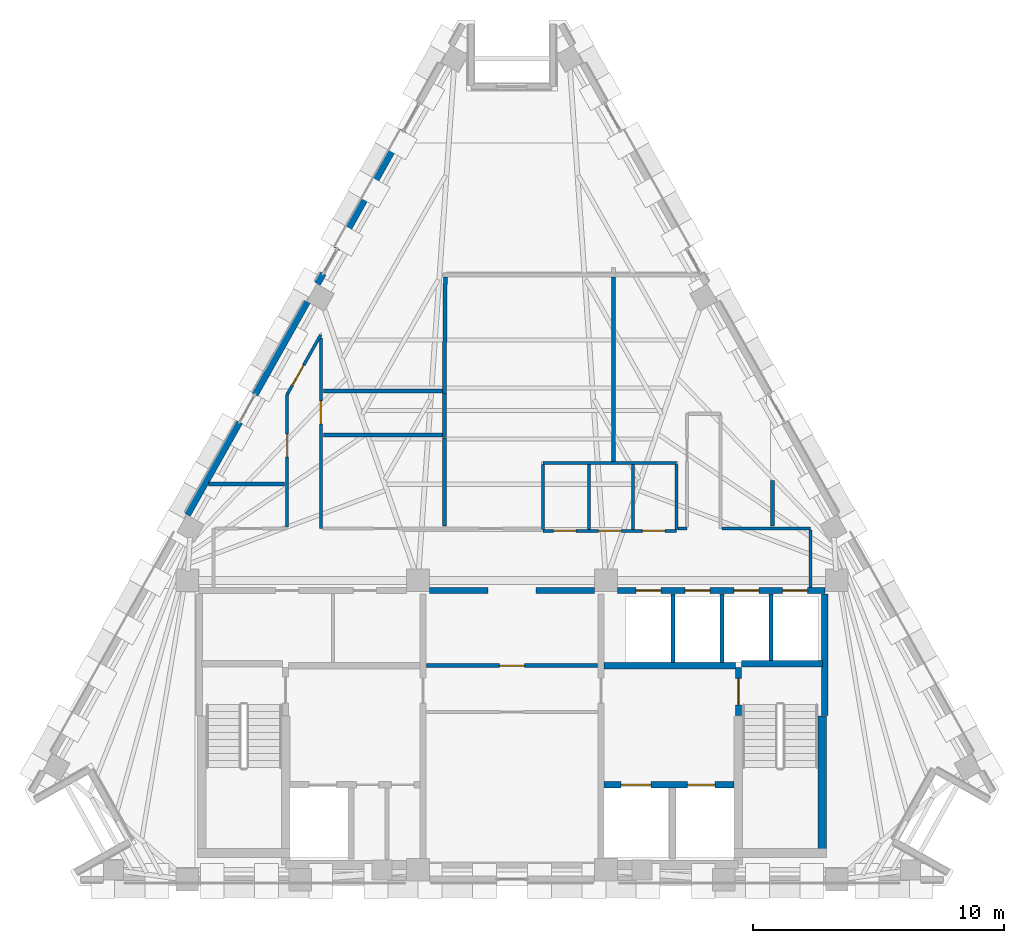
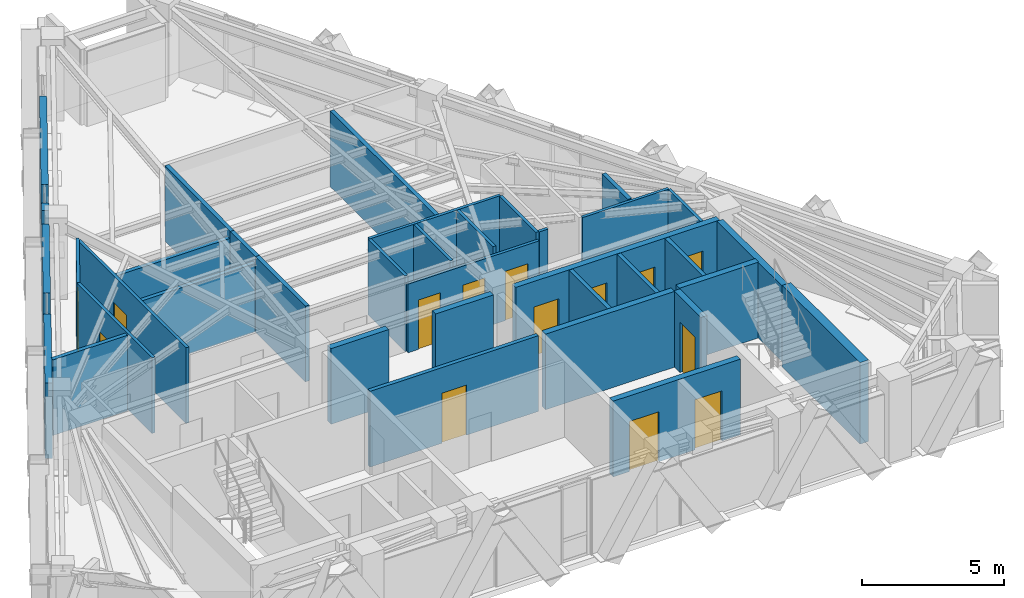
# One storey, part 6 of 9: 37 walls, 14 doors, 14 openings.
"""IFC4 building model written with IfcOpenShell, lengths in metres."""

from ifc_helpers import new_model, si_unit, direction, frame, frame_2d, origin, place, context, subcontext, project, spatial, rectangle, extrude, material, layer, layer_set, type_object, element, fill, save


model = new_model("IFC4")

# Units and contexts
model_context = context("Model", 3, precision=1e-05, world=origin(), true_north=direction((0.0, 1.0)))
body_context = subcontext(model_context, "Body", "Model", "MODEL_VIEW")
ifc_project = project(units=[si_unit("LENGTHUNIT", "METRE"), si_unit("AREAUNIT", "SQUARE_METRE"), si_unit("VOLUMEUNIT", "CUBIC_METRE"), si_unit("PLANEANGLEUNIT", "RADIAN"), si_unit("MASSUNIT", "GRAM", prefix="KILO")], contexts=[model_context])

# Site, building, storey
site_placement = place(None, origin())
site = spatial("IfcSite", under=ifc_project, at=site_placement, CompositionType="ELEMENT")
building_placement = place(site_placement, origin())
building = spatial("IfcBuilding", under=site, at=building_placement, Name="Quenlor Broadcast Tower", CompositionType="ELEMENT")
storey_placement = place(building_placement, frame((0.0, 0.0, 246.39990234375)))
storey = spatial("IfcBuildingStorey", under=building, at=storey_placement, Name="L68", CompositionType="ELEMENT", Elevation=246.39990234375)

# Wall
ifc_material_1 = material(Name="Concrete C50/60", Category="concrete")
ifc_layer_1 = layer(ifc_material_1, 0.35009765625)
ifc_layer_set_1 = layer_set([ifc_layer_1], Name="Core Concrete C50/60 Shear Wall 350")
wall_type_1 = type_object("IfcWallType", Name="Core Concrete C50/60 Shear Wall 350", PredefinedType="SHEAR", material=ifc_layer_set_1)
wall_1_placement = place(storey_placement, frame((12.375, -15.675048828125, 0.0), z_axis=(0.0, 0.0, 1.0), x_axis=(0.0, 1.0, 0.0)))
element("IfcWall", 1, at=wall_1_placement, inside=storey, type_object=wall_type_1, Name="L68 Core Shear Wall WF-E", PredefinedType="SHEAR", context=body_context, shape_type="SweptSolid", body=[
    extrude(rectangle(XDim=5.47509765625, YDim=0.35009765625, at=frame_2d((2.737548828125, 0.0))), origin(), (0.0, 0.0, 1.0), 3.5),
])

# Wall, opening, door
ifc_material_2 = material(Name="Concrete C40/50", Category="concrete")
ifc_layer_2 = layer(ifc_material_2, 0.25)
ifc_layer_set_2 = layer_set([ifc_layer_2], Name="Fire Rated Concrete C40/50 Core Wall 250")
wall_type_2 = type_object("IfcWallType", Name="Fire Rated Concrete C40/50 Core Wall 250", PredefinedType="PARTITIONING", material=ifc_layer_set_2)
wall_2_placement = place(storey_placement, frame((9.0400390625, -10.179931640625, 0.0), z_axis=(0.0, 0.0, 1.0), x_axis=(0.0, 1.0, 0.0)))
wall_2 = element("IfcWall", 2, at=wall_2_placement, inside=storey, type_object=wall_type_2, Name="L68 Interior Wall CW-ST2-DR", PredefinedType="PARTITIONING", context=body_context, shape_type="SweptSolid", body=[
    extrude(rectangle(XDim=1.89990234375, YDim=0.25, at=frame_2d((0.949951171875, 0.0))), origin(), (0.0, 0.0, 1.0), 3.25),
])
opening_1_placement = place(wall_2_placement, frame((0.419921875, 0.0, 0.0)))
opening_1 = element("IfcOpeningElement", 3, at=opening_1_placement, cuts=wall_2, Name="Opening FD-1", PredefinedType="OPENING", context=body_context, shape_type="SweptSolid", body=[
    extrude(rectangle(XDim=1.050048828125, YDim=2.14990234375, at=frame_2d((0.52490234375, 1.074951171875))), frame((0.0, 0.135009765625, 0.0), z_axis=(0.0, -1.0, 0.0), x_axis=(1.0, 0.0, 0.0)), (0.0, 0.0, 1.0), 0.27001953125),
])
ifc_material_3 = material(Name="Fire Rated Steel Door Leaf", Category="steel")
door_type_1 = type_object("IfcDoorType", Name="Fire Isolated Stair Door 1050x2150", OperationType="NOTDEFINED", PredefinedType="DOOR", material=ifc_material_3)
door_1_placement = place(opening_1_placement, origin())
door_1 = element("IfcDoor", 4, at=door_1_placement, inside=storey, type_object=door_type_1, Name="L68 Door DR-ST2", OperationType="SINGLE_SWING_RIGHT", OverallHeight=2.14990234375, OverallWidth=1.050048828125, PredefinedType="DOOR", context=body_context, shape_type="SweptSolid", body=[
    extrude(rectangle(XDim=1.050048828125, YDim=2.14990234375, at=frame_2d((0.52490234375, 1.074951171875))), frame((0.0, 0.02490234375, 0.0), z_axis=(0.0, -1.0, 0.0), x_axis=(1.0, 0.0, 0.0)), (0.0, 0.0, 1.0), 0.050048828125),
])
fill(opening_1, door_1)

# Walls
wall_3_placement = place(storey_placement, frame((9.159912109375, -8.1201171875, 0.0), z_axis=(0.0, 0.0, 1.0), x_axis=(1.0, 0.0, 0.0)))
element("IfcWall", 5, at=wall_3_placement, inside=storey, type_object=wall_type_2, Name="L68 Interior Wall CW-ST2-N", PredefinedType="PARTITIONING", context=body_context, shape_type="SweptSolid", body=[
    extrude(rectangle(XDim=3.219970703125, YDim=0.25, at=frame_2d((1.60986328125, 0.0))), origin(), (0.0, 0.0, 1.0), 3.25),
])
wall_4_placement = place(storey_placement, frame((12.47998046875, -10.179931640625, 0.0), z_axis=(0.0, 0.0, 1.0), x_axis=(0.0, 1.0, 0.0)))
element("IfcWall", 6, at=wall_4_placement, inside=storey, type_object=wall_type_2, Name="L68 Interior Wall CW-ST2-E2", PredefinedType="PARTITIONING", context=body_context, shape_type="SweptSolid", body=[
    extrude(rectangle(XDim=4.83984375, YDim=0.25, at=frame_2d((2.419921875, 0.0))), origin(), (0.0, 0.0, 1.0), 3.25),
])

# Wall, openings, doors
wall_5_placement = place(storey_placement, frame((3.679931640625, -12.949951171875, 0.0), z_axis=(0.0, 0.0, 1.0), x_axis=(1.0, 0.0, 0.0)))
wall_5 = element("IfcWall", 7, at=wall_5_placement, inside=storey, type_object=wall_type_2, Name="L68 Interior Wall CW-FFE-S", PredefinedType="PARTITIONING", context=body_context, shape_type="SweptSolid", body=[
    extrude(rectangle(XDim=5.16796875, YDim=0.25, at=frame_2d((2.583984375, 0.0))), origin(), (0.0, 0.0, 1.0), 3.25),
])
opening_2_placement = place(wall_5_placement, frame((3.320068359375, 0.0, 0.0)))
opening_2 = element("IfcOpeningElement", 8, at=opening_2_placement, cuts=wall_5, Name="Opening LD-FFL-2", PredefinedType="OPENING", context=body_context, shape_type="SweptSolid", body=[
    extrude(rectangle(XDim=1.10009765625, YDim=2.14990234375, at=frame_2d((0.550048828125, 1.074951171875))), frame((0.0, 0.135009765625, 0.0), z_axis=(0.0, -1.0, 0.0), x_axis=(1.0, 0.0, 0.0)), (0.0, 0.0, 1.0), 0.27001953125),
])
opening_3_placement = place(wall_5_placement, frame((0.669921875, 0.0, 0.0)))
opening_3 = element("IfcOpeningElement", 9, at=opening_3_placement, cuts=wall_5, Name="Opening LD-SVL-1", PredefinedType="OPENING", context=body_context, shape_type="SweptSolid", body=[
    extrude(rectangle(XDim=1.199951171875, YDim=2.14990234375, at=frame_2d((0.60009765625, 1.074951171875))), frame((0.0, 0.135009765625, 0.0), z_axis=(0.0, -1.0, 0.0), x_axis=(1.0, 0.0, 0.0)), (0.0, 0.0, 1.0), 0.27001953125),
])
ifc_material_4 = material(Name="Brushed Stainless Steel", Category="steel")
door_type_2 = type_object("IfcDoorType", Name="Emergency Lift Sliding Landing Door 1100x2150", OperationType="NOTDEFINED", PredefinedType="DOOR", material=ifc_material_4)
door_2_placement = place(opening_2_placement, origin())
door_2 = element("IfcDoor", 10, at=door_2_placement, inside=storey, type_object=door_type_2, Name="L68 Door LD-FFL-2", OperationType="SLIDING_TO_RIGHT", OverallHeight=2.14990234375, OverallWidth=1.10009765625, PredefinedType="DOOR", context=body_context, shape_type="SweptSolid", body=[
    extrude(rectangle(XDim=1.10009765625, YDim=2.14990234375, at=frame_2d((0.550048828125, 1.074951171875))), frame((0.0, 0.02490234375, 0.0), z_axis=(0.0, -1.0, 0.0), x_axis=(1.0, 0.0, 0.0)), (0.0, 0.0, 1.0), 0.050048828125),
])
fill(opening_2, door_2)
ifc_material_5 = material(Name="Brushed Stainless Steel", Category="steel")
door_type_3 = type_object("IfcDoorType", Name="Goods Lift Sliding Landing Door 1200x2150", OperationType="NOTDEFINED", PredefinedType="DOOR", material=ifc_material_5)
door_3_placement = place(opening_3_placement, origin())
door_3 = element("IfcDoor", 11, at=door_3_placement, inside=storey, type_object=door_type_3, Name="L68 Door LD-SVL-1", OperationType="SLIDING_TO_LEFT", OverallHeight=2.14990234375, OverallWidth=1.199951171875, PredefinedType="DOOR", context=body_context, shape_type="SweptSolid", body=[
    extrude(rectangle(XDim=1.199951171875, YDim=2.14990234375, at=frame_2d((0.60009765625, 1.074951171875))), frame((0.0, 0.02490234375, 0.0), z_axis=(0.0, -1.0, 0.0), x_axis=(1.0, 0.0, 0.0)), (0.0, 0.0, 1.0), 0.050048828125),
])
fill(opening_3, door_3)

# Wall
wall_6_placement = place(storey_placement, frame((3.679931640625, -8.199951171875, 0.0), z_axis=(0.0, 0.0, 1.0), x_axis=(1.0, 0.0, 0.0)))
element("IfcWall", 12, at=wall_6_placement, inside=storey, type_object=wall_type_2, Name="L68 Interior Wall CW-FFE-N", PredefinedType="PARTITIONING", context=body_context, shape_type="SweptSolid", body=[
    extrude(rectangle(XDim=5.239990234375, YDim=0.25, at=frame_2d((2.6201171875, 0.0))), origin(), (0.0, 0.0, 1.0), 3.25),
])

# Wall, openings, doors
wall_7_placement = place(storey_placement, frame((4.201904296875, -5.199951171875, 0.0), z_axis=(0.0, 0.0, 1.0), x_axis=(1.0, 0.0, 0.0)))
wall_7 = element("IfcWall", 13, at=wall_7_placement, inside=storey, type_object=wall_type_2, Name="L68 Interior Wall CW-N-E", PredefinedType="PARTITIONING", context=body_context, shape_type="SweptSolid", body=[
    extrude(rectangle(XDim=8.278076171875, YDim=0.25, at=frame_2d((4.13916015625, 0.0))), origin(), (0.0, 0.0, 1.0), 3.25),
])
opening_4_placement = place(wall_7_placement, frame((0.748046875, 0.0, 0.0)))
opening_4 = element("IfcOpeningElement", 14, at=opening_4_placement, cuts=wall_7, Name="Opening LD-PL-H1", PredefinedType="OPENING", context=body_context, shape_type="SweptSolid", body=[
    extrude(rectangle(XDim=1.0, YDim=2.14990234375, at=frame_2d((0.5, 1.074951171875))), frame((0.0, 0.135009765625, 0.0), z_axis=(0.0, -1.0, 0.0), x_axis=(1.0, 0.0, 0.0)), (0.0, 0.0, 1.0), 0.27001953125),
])
opening_5_placement = place(wall_7_placement, frame((2.697998046875, 0.0, 0.0)))
opening_5 = element("IfcOpeningElement", 15, at=opening_5_placement, cuts=wall_7, Name="Opening LD-PL-H2", PredefinedType="OPENING", context=body_context, shape_type="SweptSolid", body=[
    extrude(rectangle(XDim=1.0, YDim=2.14990234375, at=frame_2d((0.5, 1.074951171875))), frame((0.0, 0.135009765625, 0.0), z_axis=(0.0, -1.0, 0.0), x_axis=(1.0, 0.0, 0.0)), (0.0, 0.0, 1.0), 0.27001953125),
])
opening_6_placement = place(wall_7_placement, frame((4.64794921875, 0.0, 0.0)))
opening_6 = element("IfcOpeningElement", 16, at=opening_6_placement, cuts=wall_7, Name="Opening LD-PL-H3", PredefinedType="OPENING", context=body_context, shape_type="SweptSolid", body=[
    extrude(rectangle(XDim=1.0, YDim=2.14990234375, at=frame_2d((0.5, 1.074951171875))), frame((0.0, 0.135009765625, 0.0), z_axis=(0.0, -1.0, 0.0), x_axis=(1.0, 0.0, 0.0)), (0.0, 0.0, 1.0), 0.27001953125),
])
opening_7_placement = place(wall_7_placement, frame((6.597900390625, 0.0, 0.0)))
opening_7 = element("IfcOpeningElement", 17, at=opening_7_placement, cuts=wall_7, Name="Opening LD-PL-H4", PredefinedType="OPENING", context=body_context, shape_type="SweptSolid", body=[
    extrude(rectangle(XDim=1.0, YDim=2.14990234375, at=frame_2d((0.5, 1.074951171875))), frame((0.0, 0.135009765625, 0.0), z_axis=(0.0, -1.0, 0.0), x_axis=(1.0, 0.0, 0.0)), (0.0, 0.0, 1.0), 0.27001953125),
])
ifc_material_6 = material(Name="Brushed Stainless Steel", Category="steel")
door_type_4 = type_object("IfcDoorType", Name="Passenger Lift Sliding Landing Door 1000x2150", OperationType="NOTDEFINED", PredefinedType="DOOR", material=ifc_material_6)
door_4_placement = place(opening_4_placement, origin())
door_4 = element("IfcDoor", 18, at=door_4_placement, inside=storey, type_object=door_type_4, Name="L68 Door LD-PL-H1", OperationType="SLIDING_TO_RIGHT", OverallHeight=2.14990234375, OverallWidth=1.0, PredefinedType="DOOR", context=body_context, shape_type="SweptSolid", body=[
    extrude(rectangle(XDim=1.0, YDim=2.14990234375, at=frame_2d((0.5, 1.074951171875))), frame((0.0, 0.02490234375, 0.0), z_axis=(0.0, -1.0, 0.0), x_axis=(1.0, 0.0, 0.0)), (0.0, 0.0, 1.0), 0.050048828125),
])
fill(opening_4, door_4)
door_5_placement = place(opening_5_placement, origin())
door_5 = element("IfcDoor", 19, at=door_5_placement, inside=storey, type_object=door_type_4, Name="L68 Door LD-PL-H2", OperationType="SLIDING_TO_RIGHT", OverallHeight=2.14990234375, OverallWidth=1.0, PredefinedType="DOOR", context=body_context, shape_type="SweptSolid", body=[
    extrude(rectangle(XDim=1.0, YDim=2.14990234375, at=frame_2d((0.5, 1.074951171875))), frame((0.0, 0.02490234375, 0.0), z_axis=(0.0, -1.0, 0.0), x_axis=(1.0, 0.0, 0.0)), (0.0, 0.0, 1.0), 0.050048828125),
])
fill(opening_5, door_5)
door_6_placement = place(opening_6_placement, origin())
door_6 = element("IfcDoor", 20, at=door_6_placement, inside=storey, type_object=door_type_4, Name="L68 Door LD-PL-H3", OperationType="SLIDING_TO_RIGHT", OverallHeight=2.14990234375, OverallWidth=1.0, PredefinedType="DOOR", context=body_context, shape_type="SweptSolid", body=[
    extrude(rectangle(XDim=1.0, YDim=2.14990234375, at=frame_2d((0.5, 1.074951171875))), frame((0.0, 0.02490234375, 0.0), z_axis=(0.0, -1.0, 0.0), x_axis=(1.0, 0.0, 0.0)), (0.0, 0.0, 1.0), 0.050048828125),
])
fill(opening_6, door_6)
door_7_placement = place(opening_7_placement, origin())
door_7 = element("IfcDoor", 21, at=door_7_placement, inside=storey, type_object=door_type_4, Name="L68 Door LD-PL-H4", OperationType="SLIDING_TO_RIGHT", OverallHeight=2.14990234375, OverallWidth=1.0, PredefinedType="DOOR", context=body_context, shape_type="SweptSolid", body=[
    extrude(rectangle(XDim=1.0, YDim=2.14990234375, at=frame_2d((0.5, 1.074951171875))), frame((0.0, 0.02490234375, 0.0), z_axis=(0.0, -1.0, 0.0), x_axis=(1.0, 0.0, 0.0)), (0.0, 0.0, 1.0), 0.050048828125),
])
fill(opening_7, door_7)

# Walls
for number, where, z_axis, x_axis, name in (
    (22, (-3.298095703125, -5.199951171875, 0.0), (0.0, 0.0, 1.0), (1.0, 0.0, 0.0), "L68 Interior Wall CW-N-M1"),
    (23, (0.949951171875, -5.199951171875, 0.0), (0.0, 0.0, 1.0), (1.0, 0.0, 0.0), "L68 Interior Wall CW-N-M2"),
):
    element("IfcWall", number, at=place(storey_placement, frame(where, z_axis=z_axis, x_axis=x_axis)), inside=storey, type_object=wall_type_2, Name=name, PredefinedType="PARTITIONING", context=body_context, shape_type="SweptSolid", body=[
        extrude(rectangle(XDim=2.34814453125, YDim=0.25, at=frame_2d((1.174072265625, 0.0))), origin(), (0.0, 0.0, 1.0), 3.25),
    ])
ifc_material_7 = material(Name="Gypsum Fireboard Partition", Category="other")
ifc_layer_3 = layer(ifc_material_7, 0.159912109375)
ifc_layer_set_3 = layer_set([ifc_layer_3], Name="Fire Rated Shaft and Corridor Partition 160")
wall_type_3 = type_object("IfcWallType", Name="Fire Rated Shaft and Corridor Partition 160", PredefinedType="PARTITIONING", material=ifc_layer_set_3)
for number, where, z_axis, x_axis, name in (
    (24, (6.425048828125, -8.072998046875, 0.0), (0.0, 0.0, 1.0), (0.0, 1.0, 0.0), "L68 Interior Wall CW-PLH-D1"),
    (25, (8.375, -8.072998046875, 0.0), (0.0, 0.0, 1.0), (0.0, 1.0, 0.0), "L68 Interior Wall CW-PLH-D2"),
):
    element("IfcWall", number, at=place(storey_placement, frame(where, z_axis=z_axis, x_axis=x_axis)), inside=storey, type_object=wall_type_3, Name=name, PredefinedType="PARTITIONING", context=body_context, shape_type="SweptSolid", body=[
        extrude(rectangle(XDim=2.73291015625, YDim=0.159912109375, at=frame_2d((1.366455078125, 0.0))), origin(), (0.0, 0.0, 1.0), 3.25),
    ])
wall_8_placement = place(storey_placement, frame((10.324951171875, -7.992919921875, 0.0), z_axis=(0.0, 0.0, 1.0), x_axis=(0.0, 1.0, 0.0)))
element("IfcWall", 26, at=wall_8_placement, inside=storey, type_object=wall_type_3, Name="L68 Interior Wall CW-PLH-D3", PredefinedType="PARTITIONING", context=body_context, shape_type="SweptSolid", body=[
    extrude(rectangle(XDim=2.65283203125, YDim=0.159912109375, at=frame_2d((1.326416015625, 0.0))), origin(), (0.0, 0.0, 1.0), 3.25),
])

# Wall, opening, door
wall_9_placement = place(storey_placement, frame((-3.419921875, -8.199951171875, 0.0), z_axis=(0.0, 0.0, 1.0), x_axis=(1.0, 0.0, 0.0)))
wall_9 = element("IfcWall", 27, at=wall_9_placement, inside=storey, type_object=wall_type_3, Name="L68 Interior Wall CW-M-BACK", PredefinedType="PARTITIONING", context=body_context, shape_type="SweptSolid", body=[
    extrude(rectangle(XDim=6.83984375, YDim=0.159912109375, at=frame_2d((3.419921875, 0.0))), origin(), (0.0, 0.0, 1.0), 3.25),
])
opening_8_placement = place(wall_9_placement, frame((2.919921875, 0.0, 0.0)))
opening_8 = element("IfcOpeningElement", 28, at=opening_8_placement, cuts=wall_9, Name="Opening FD-2", PredefinedType="OPENING", context=body_context, shape_type="SweptSolid", body=[
    extrude(rectangle(XDim=1.0, YDim=2.14990234375, at=frame_2d((0.5, 1.074951171875))), frame((0.0, 0.08984375, 0.0), z_axis=(0.0, -1.0, 0.0), x_axis=(1.0, 0.0, 0.0)), (0.0, 0.0, 1.0), 0.179931640625),
])
ifc_material_8 = material(Name="Fire Rated Glazed Steel Door", Category="steel")
door_type_5 = type_object("IfcDoorType", Name="Firefighting Lobby Smoke Door 1000x2150", OperationType="NOTDEFINED", PredefinedType="DOOR", material=ifc_material_8)
door_8_placement = place(opening_8_placement, origin())
door_8 = element("IfcDoor", 29, at=door_8_placement, inside=storey, type_object=door_type_5, Name="L68 Door DR-CCRP", OperationType="SINGLE_SWING_LEFT", OverallHeight=2.14990234375, OverallWidth=1.0, PredefinedType="DOOR", context=body_context, shape_type="SweptSolid", body=[
    extrude(rectangle(XDim=1.0, YDim=2.14990234375, at=frame_2d((0.5, 1.074951171875))), frame((0.0, 0.02490234375, 0.0), z_axis=(0.0, -1.0, 0.0), x_axis=(1.0, 0.0, 0.0)), (0.0, 0.0, 1.0), 0.050048828125),
])
fill(opening_8, door_8)

# Walls
wall_10_placement = place(storey_placement, frame((-2.66064453125, 7.3115234375, 0.0), z_axis=(0.0, 0.0, 1.0), x_axis=(-0.008673840445, -0.999962381538, 0.0)))
element("IfcWall", 30, at=wall_10_placement, inside=storey, type_object=wall_type_3, Name="L68 Interior Wall PW-DV-02", PredefinedType="PARTITIONING", context=body_context, shape_type="SweptSolid", body=[
    extrude(rectangle(XDim=4.644287109375, YDim=0.159912109375, at=frame_2d((2.322265625, 0.0))), origin(), (0.0, 0.0, 1.0), 3.25),
])
wall_11_placement = place(storey_placement, frame((-2.781982421875, 2.767333984375, 0.0), z_axis=(0.0, 0.0, 1.0), x_axis=(-1.0, 0.0, 0.0)))
element("IfcWall", 31, at=wall_11_placement, inside=storey, type_object=wall_type_3, Name="L68 Interior Wall PW-DV-04", PredefinedType="PARTITIONING", context=body_context, shape_type="SweptSolid", body=[
    extrude(rectangle(XDim=4.738037109375, YDim=0.159912109375, at=frame_2d((2.369140625, 0.0))), origin(), (0.0, 0.0, 1.0), 2.94287109375),
])
wall_12_placement = place(storey_placement, frame((4.0400390625, 7.3115234375, 0.0), z_axis=(0.0, 0.0, 1.0), x_axis=(0.0, -1.0, 0.0)))
element("IfcWall", 32, at=wall_12_placement, inside=storey, type_object=wall_type_3, Name="L68 Interior Wall PW-DV-05S2", PredefinedType="PARTITIONING", context=body_context, shape_type="SweptSolid", body=[
    extrude(rectangle(XDim=7.37158203125, YDim=0.159912109375, at=frame_2d((3.685791015625, 0.0))), origin(), (0.0, 0.0, 1.0), 3.25),
])
wall_13_placement = place(storey_placement, frame((-2.699951171875, 0.894775390625, 0.0), z_axis=(0.0, 0.0, 1.0), x_axis=(0.0, 1.0, 0.0)))
element("IfcWall", 33, at=wall_13_placement, inside=storey, type_object=wall_type_3, Name="L68 Interior Wall PW-DV-06", PredefinedType="PARTITIONING", context=body_context, shape_type="SweptSolid", body=[
    extrude(rectangle(XDim=1.7705078125, YDim=0.159912109375, at=frame_2d((0.88525390625, 0.0))), origin(), (0.0, 0.0, 1.0), 3.25),
])
wall_14_placement = place(storey_placement, frame((-2.699951171875, -2.6201171875, 0.0), z_axis=(0.0, 0.0, 1.0), x_axis=(0.0, 1.0, 0.0)))
element("IfcWall", 34, at=wall_14_placement, inside=storey, type_object=wall_type_3, Name="L68 Interior Wall PW-DV-07", PredefinedType="PARTITIONING", context=body_context, shape_type="SweptSolid", body=[
    extrude(rectangle(XDim=3.5126953125, YDim=0.159912109375, at=frame_2d((1.75634765625, 0.0))), origin(), (0.0, 0.0, 1.0), 3.25),
])
wall_15_placement = place(storey_placement, frame((10.389892578125, -0.8134765625, 0.0), z_axis=(0.0, 0.0, 1.0), x_axis=(0.0, -1.0, 0.0)))
element("IfcWall", 35, at=wall_15_placement, inside=storey, type_object=wall_type_3, Name="L68 Interior Wall PW-DV-08", PredefinedType="PARTITIONING", context=body_context, shape_type="SweptSolid", body=[
    extrude(rectangle(XDim=1.806640625, YDim=0.159912109375, at=frame_2d((0.9033203125, 0.0))), origin(), (0.0, 0.0, 1.0), 3.25),
])
wall_16_placement = place(storey_placement, frame((-2.781982421875, 0.99462890625, 0.0), z_axis=(0.0, 0.0, 1.0), x_axis=(-1.0, 0.0, 0.0)))
element("IfcWall", 36, at=wall_16_placement, inside=storey, type_object=wall_type_3, Name="L68 Interior Wall PW-DV-09", PredefinedType="PARTITIONING", context=body_context, shape_type="SweptSolid", body=[
    extrude(rectangle(XDim=4.738037109375, YDim=0.159912109375, at=frame_2d((2.369140625, 0.0))), origin(), (0.0, 0.0, 1.0), 2.94287109375),
])
wall_17_placement = place(storey_placement, frame((-9.080078125, -0.953369140625, 0.0), z_axis=(0.0, 0.0, 1.0), x_axis=(-1.0, 0.0, 0.0)))
element("IfcWall", 37, at=wall_17_placement, inside=storey, type_object=wall_type_3, Name="L68 Interior Wall PW-DV-10", PredefinedType="PARTITIONING", context=body_context, shape_type="SweptSolid", body=[
    extrude(rectangle(XDim=3.026611328125, YDim=0.159912109375, at=frame_2d((1.51318359375, 0.0))), origin(), (0.0, 0.0, 1.0), 3.25),
])

# Wall, openings, doors
ifc_material_9 = material(Name="Gypsum Plasterboard Partition", Category="other")
ifc_layer_4 = layer(ifc_material_9, 0.1201171875)
ifc_layer_set_4 = layer_set([ifc_layer_4], Name="Standard Office Partition 120")
wall_type_4 = type_object("IfcWallType", Name="Standard Office Partition 120", PredefinedType="PARTITIONING", material=ifc_layer_set_4)
wall_18_placement = place(storey_placement, frame((1.239990234375, -2.820068359375, 0.0), z_axis=(0.0, 0.0, 1.0), x_axis=(1.0, 0.0, 0.0)))
wall_18 = element("IfcWall", 38, at=wall_18_placement, inside=storey, type_object=wall_type_4, Name="L68 Interior Wall PW-WC-S", PredefinedType="PARTITIONING", context=body_context, shape_type="SweptSolid", body=[
    extrude(rectangle(XDim=5.320068359375, YDim=0.1201171875, at=frame_2d((2.66015625, 0.0))), origin(), (0.0, 0.0, 1.0), 2.94287109375),
])
opening_9_placement = place(wall_18_placement, frame((0.419921875, 0.0, 0.0)))
opening_9 = element("IfcOpeningElement", 39, at=opening_9_placement, cuts=wall_18, Name="Opening ID-3", PredefinedType="OPENING", context=body_context, shape_type="SweptSolid", body=[
    extrude(rectangle(XDim=0.89990234375, YDim=2.1201171875, at=frame_2d((0.449951171875, 1.06005859375))), frame((0.0, 0.070068359375, 0.0), z_axis=(0.0, -1.0, 0.0), x_axis=(1.0, 0.0, 0.0)), (0.0, 0.0, 1.0), 0.14013671875),
])
opening_10_placement = place(wall_18_placement, frame((2.219970703125, 0.0, 0.0)))
opening_10 = element("IfcOpeningElement", 40, at=opening_10_placement, cuts=wall_18, Name="Opening ID-3", PredefinedType="OPENING", context=body_context, shape_type="SweptSolid", body=[
    extrude(rectangle(XDim=0.89990234375, YDim=2.1201171875, at=frame_2d((0.449951171875, 1.06005859375))), frame((0.0, 0.070068359375, 0.0), z_axis=(0.0, -1.0, 0.0), x_axis=(1.0, 0.0, 0.0)), (0.0, 0.0, 1.0), 0.14013671875),
])
opening_11_placement = place(wall_18_placement, frame((3.9599609375, 0.0, 0.0)))
opening_11 = element("IfcOpeningElement", 41, at=opening_11_placement, cuts=wall_18, Name="Opening ID-3", PredefinedType="OPENING", context=body_context, shape_type="SweptSolid", body=[
    extrude(rectangle(XDim=0.89990234375, YDim=2.1201171875, at=frame_2d((0.449951171875, 1.06005859375))), frame((0.0, 0.070068359375, 0.0), z_axis=(0.0, -1.0, 0.0), x_axis=(1.0, 0.0, 0.0)), (0.0, 0.0, 1.0), 0.14013671875),
])
ifc_material_10 = material(Name="Moisture Resistant Timber Oak", Category="wood")
door_type_6 = type_object("IfcDoorType", Name="Washroom Privacy Door 900x2120", OperationType="NOTDEFINED", PredefinedType="DOOR", material=ifc_material_10)
door_9_placement = place(opening_9_placement, origin())
door_9 = element("IfcDoor", 42, at=door_9_placement, inside=storey, type_object=door_type_6, Name="L68 Door DR-AWC", OperationType="SINGLE_SWING_LEFT", OverallHeight=2.1201171875, OverallWidth=0.89990234375, PredefinedType="DOOR", context=body_context, shape_type="SweptSolid", body=[
    extrude(rectangle(XDim=0.89990234375, YDim=2.1201171875, at=frame_2d((0.449951171875, 1.06005859375))), frame((0.0, 0.02490234375, 0.0), z_axis=(0.0, -1.0, 0.0), x_axis=(1.0, 0.0, 0.0)), (0.0, 0.0, 1.0), 0.050048828125),
])
fill(opening_9, door_9)
door_10_placement = place(opening_10_placement, origin())
door_10 = element("IfcDoor", 43, at=door_10_placement, inside=storey, type_object=door_type_6, Name="L68 Door DR-MWC", OperationType="SINGLE_SWING_LEFT", OverallHeight=2.1201171875, OverallWidth=0.89990234375, PredefinedType="DOOR", context=body_context, shape_type="SweptSolid", body=[
    extrude(rectangle(XDim=0.89990234375, YDim=2.1201171875, at=frame_2d((0.449951171875, 1.06005859375))), frame((0.0, 0.02490234375, 0.0), z_axis=(0.0, -1.0, 0.0), x_axis=(1.0, 0.0, 0.0)), (0.0, 0.0, 1.0), 0.050048828125),
])
fill(opening_10, door_10)
door_11_placement = place(opening_11_placement, origin())
door_11 = element("IfcDoor", 44, at=door_11_placement, inside=storey, type_object=door_type_6, Name="L68 Door DR-FWC", OperationType="SINGLE_SWING_RIGHT", OverallHeight=2.1201171875, OverallWidth=0.89990234375, PredefinedType="DOOR", context=body_context, shape_type="SweptSolid", body=[
    extrude(rectangle(XDim=0.89990234375, YDim=2.1201171875, at=frame_2d((0.449951171875, 1.06005859375))), frame((0.0, 0.02490234375, 0.0), z_axis=(0.0, -1.0, 0.0), x_axis=(1.0, 0.0, 0.0)), (0.0, 0.0, 1.0), 0.050048828125),
])
fill(opening_11, door_11)

# Walls
wall_19_placement = place(storey_placement, frame((1.239990234375, -0.1201171875, 0.0), z_axis=(0.0, 0.0, 1.0), x_axis=(1.0, 0.0, 0.0)))
element("IfcWall", 45, at=wall_19_placement, inside=storey, type_object=wall_type_4, Name="L68 Interior Wall PW-WC-N", PredefinedType="PARTITIONING", context=body_context, shape_type="SweptSolid", body=[
    extrude(rectangle(XDim=5.320068359375, YDim=0.1201171875, at=frame_2d((2.66015625, 0.0))), origin(), (0.0, 0.0, 1.0), 3.25),
])
for number, where, z_axis, x_axis, name in (
    (46, (1.239990234375, -2.758056640625, 0.0), (0.0, 0.0, 1.0), (0.0, 1.0, 0.0), "L68 Interior Wall PW-WC-W"),
    (47, (3.080078125, -2.758056640625, 0.0), (0.0, 0.0, 1.0), (0.0, 1.0, 0.0), "L68 Interior Wall PW-WC-M1"),
    (48, (4.820068359375, -2.758056640625, 0.0), (0.0, 0.0, 1.0), (0.0, 1.0, 0.0), "L68 Interior Wall PW-WC-M2"),
    (49, (6.56005859375, -2.758056640625, 0.0), (0.0, 0.0, 1.0), (0.0, 1.0, 0.0), "L68 Interior Wall PW-WC-E"),
):
    element("IfcWall", number, at=place(storey_placement, frame(where, z_axis=z_axis, x_axis=x_axis)), inside=storey, type_object=wall_type_4, Name=name, PredefinedType="PARTITIONING", context=body_context, shape_type="SweptSolid", body=[
        extrude(rectangle(XDim=2.576171875, YDim=0.1201171875, at=frame_2d((1.2880859375, 0.0))), origin(), (0.0, 0.0, 1.0), 3.25),
    ])

# Wall, opening, door
wall_20_placement = place(storey_placement, frame((-8.969970703125, -2.66796875, 0.0), z_axis=(0.0, 0.0, 1.0), x_axis=(0.0, 1.0, 0.0)))
wall_20 = element("IfcWall", 50, at=wall_20_placement, inside=storey, type_object=wall_type_4, Name="L68 Interior Wall PW-CR-03", PredefinedType="PARTITIONING", context=body_context, shape_type="SweptSolid", body=[
    extrude(rectangle(XDim=5.2861328125, YDim=0.1201171875, at=frame_2d((2.64306640625, 0.0))), origin(), (0.0, 0.0, 1.0), 3.25),
])
opening_12_placement = place(wall_20_placement, frame((2.791015625, 0.0, 0.0)))
opening_12 = element("IfcOpeningElement", 51, at=opening_12_placement, cuts=wall_20, Name="Opening ID-1", PredefinedType="OPENING", context=body_context, shape_type="SweptSolid", body=[
    extrude(rectangle(XDim=0.919921875, YDim=2.1201171875, at=frame_2d((0.4599609375, 1.06005859375))), frame((0.0, 0.070068359375, 0.0), z_axis=(0.0, -1.0, 0.0), x_axis=(1.0, 0.0, 0.0)), (0.0, 0.0, 1.0), 0.14013671875),
])
ifc_material_11 = material(Name="Solid Core Timber Oak", Category="wood")
door_type_7 = type_object("IfcDoorType", Name="Single Leaf Timber Office Door 920x2120", OperationType="NOTDEFINED", PredefinedType="DOOR", material=ifc_material_11)
door_12_placement = place(opening_12_placement, origin())
door_12 = element("IfcDoor", 52, at=door_12_placement, inside=storey, type_object=door_type_7, Name="L68 Door DR-RM05", OperationType="SINGLE_SWING_RIGHT", OverallHeight=2.1201171875, OverallWidth=0.919921875, PredefinedType="DOOR", context=body_context, shape_type="SweptSolid", body=[
    extrude(rectangle(XDim=0.919921875, YDim=2.1201171875, at=frame_2d((0.4599609375, 1.06005859375))), frame((0.0, 0.02490234375, 0.0), z_axis=(0.0, -1.0, 0.0), x_axis=(1.0, 0.0, 0.0)), (0.0, 0.0, 1.0), 0.050048828125),
])
fill(opening_12, door_12)

wall_21_placement = place(storey_placement, frame((-8.968994140625, 2.6201171875, 0.0), z_axis=(0.0, 0.0, 1.0), x_axis=(0.490341880416, 0.871530171773, 0.0)))
wall_21 = element("IfcWall", 53, at=wall_21_placement, inside=storey, type_object=wall_type_4, Name="L68 Interior Wall PW-CR-04", PredefinedType="PARTITIONING", context=body_context, shape_type="SweptSolid", body=[
    extrude(rectangle(XDim=2.73095703125, YDim=0.1201171875, at=frame_2d((1.365478515625, 0.0))), origin(), (0.0, 0.0, 1.0), 3.25),
])
opening_13_placement = place(wall_21_placement, frame((0.425048828125, 0.0, 0.0)))
opening_13 = element("IfcOpeningElement", 54, at=opening_13_placement, cuts=wall_21, Name="Opening ID-1", PredefinedType="OPENING", context=body_context, shape_type="SweptSolid", body=[
    extrude(rectangle(XDim=0.919921875, YDim=2.1201171875, at=frame_2d((0.4599609375, 1.06005859375))), frame((0.0, 0.070068359375, 0.0), z_axis=(0.0, -1.0, 0.0), x_axis=(1.0, 0.0, 0.0)), (0.0, 0.0, 1.0), 0.14013671875),
])
door_13_placement = place(opening_13_placement, origin())
door_13 = element("IfcDoor", 55, at=door_13_placement, inside=storey, type_object=door_type_7, Name="L68 Door DR-RM01", OperationType="SINGLE_SWING_RIGHT", OverallHeight=2.1201171875, OverallWidth=0.919921875, PredefinedType="DOOR", context=body_context, shape_type="SweptSolid", body=[
    extrude(rectangle(XDim=0.919921875, YDim=2.1201171875, at=frame_2d((0.4599609375, 1.06005859375))), frame((0.0, 0.02490234375, 0.0), z_axis=(0.0, -1.0, 0.0), x_axis=(1.0, 0.0, 0.0)), (0.0, 0.0, 1.0), 0.050048828125),
])
fill(opening_13, door_13)

wall_22_placement = place(storey_placement, frame((-7.6298828125, 4.873779296875, 0.0), z_axis=(0.0, 0.0, 1.0), x_axis=(0.0, -1.0, 0.0)))
wall_22 = element("IfcWall", 56, at=wall_22_placement, inside=storey, type_object=wall_type_4, Name="L68 Interior Wall PW-CR-05", PredefinedType="PARTITIONING", context=body_context, shape_type="SweptSolid", body=[
    extrude(rectangle(XDim=7.603759765625, YDim=0.1201171875, at=frame_2d((3.8017578125, 0.0))), origin(), (0.0, 0.0, 1.0), 3.25),
])
opening_14_placement = place(wall_22_placement, frame((2.511962890625, 0.0, 0.0)))
opening_14 = element("IfcOpeningElement", 57, at=opening_14_placement, cuts=wall_22, Name="Opening ID-1", PredefinedType="OPENING", context=body_context, shape_type="SweptSolid", body=[
    extrude(rectangle(XDim=0.919921875, YDim=2.1201171875, at=frame_2d((0.4599609375, 1.06005859375))), frame((0.0, 0.070068359375, 0.0), z_axis=(0.0, -1.0, 0.0), x_axis=(1.0, 0.0, 0.0)), (0.0, 0.0, 1.0), 0.14013671875),
])
door_14_placement = place(opening_14_placement, origin())
door_14 = element("IfcDoor", 58, at=door_14_placement, inside=storey, type_object=door_type_7, Name="L68 Door DR-RM04", OperationType="SINGLE_SWING_LEFT", OverallHeight=2.1201171875, OverallWidth=0.919921875, PredefinedType="DOOR", context=body_context, shape_type="SweptSolid", body=[
    extrude(rectangle(XDim=0.919921875, YDim=2.1201171875, at=frame_2d((0.4599609375, 1.06005859375))), frame((0.0, 0.02490234375, 0.0), z_axis=(0.0, -1.0, 0.0), x_axis=(1.0, 0.0, 0.0)), (0.0, 0.0, 1.0), 0.050048828125),
])
fill(opening_14, door_14)

# Walls
wall_23_placement = place(storey_placement, frame((6.6220703125, -2.72998046875, 0.0), z_axis=(0.0, 0.0, 1.0), x_axis=(1.0, 0.0, 0.0)))
element("IfcWall", 59, at=wall_23_placement, inside=storey, type_object=wall_type_4, Name="L68 Interior Wall PW-CR-08", PredefinedType="PARTITIONING", context=body_context, shape_type="SweptSolid", body=[
    extrude(rectangle(XDim=0.35791015625, YDim=0.1201171875, at=frame_2d((0.178955078125, 0.0))), origin(), (0.0, 0.0, 1.0), 3.25),
])
wall_24_placement = place(storey_placement, frame((8.382080078125, -2.72998046875, 0.0), z_axis=(0.0, 0.0, 1.0), x_axis=(1.0, 0.0, 0.0)))
element("IfcWall", 60, at=wall_24_placement, inside=storey, type_object=wall_type_4, Name="L68 Interior Wall PW-CR-12", PredefinedType="PARTITIONING", context=body_context, shape_type="SweptSolid", body=[
    extrude(rectangle(XDim=3.517822265625, YDim=0.1201171875, at=frame_2d((1.7587890625, 0.0))), origin(), (0.0, 0.0, 1.0), 3.25),
])
wall_25_placement = place(storey_placement, frame((11.89990234375, -2.7919921875, 0.0), z_axis=(0.0, 0.0, 1.0), x_axis=(0.0, -1.0, 0.0)))
element("IfcWall", 61, at=wall_25_placement, inside=storey, type_object=wall_type_4, Name="L68 Interior Wall PW-CR-13", PredefinedType="PARTITIONING", context=body_context, shape_type="SweptSolid", body=[
    extrude(rectangle(XDim=2.281005859375, YDim=0.1201171875, at=frame_2d((1.140625, 0.0))), origin(), (0.0, 0.0, 1.0), 3.25),
])
ifc_material_12 = material(Name="Precast concrete C40/50", Category="concrete")
ifc_layer_5 = layer(ifc_material_12, 0.260009765625)
ifc_layer_set_5 = layer_set([ifc_layer_5], Name="Terracotta Precast Concrete C40/50 Upper Wall 260")
wall_type_5 = type_object("IfcWallType", Name="Terracotta Precast Concrete C40/50 Upper Wall 260", PredefinedType="STANDARD", material=ifc_layer_set_5)
wall_26_placement = place(storey_placement, frame((-7.760009765625, 7.043701171875, 0.0), z_axis=(0.0, 0.0, 1.0), x_axis=(0.490412424957, 0.871490478116, 0.0)))
element("IfcWall", 62, at=wall_26_placement, inside=storey, type_object=wall_type_5, Name="L68 Exterior Wall L68-NWC-SP1", PredefinedType="STANDARD", context=body_context, shape_type="SweptSolid", body=[
    extrude(rectangle(XDim=0.4599609375, YDim=0.260009765625, at=frame_2d((0.22998046875, 0.0))), origin(), (0.0, 0.0, 1.0), 3.25),
])
wall_27_placement = place(storey_placement, frame((-6.981689453125, 8.42724609375, 0.0), z_axis=(0.0, 0.0, 1.0), x_axis=(0.490265525523, 0.871573126297, 0.0)))
element("IfcWall", 63, at=wall_27_placement, inside=storey, type_object=wall_type_5, Name="L68 Exterior Wall L68-NWC-SP2", PredefinedType="STANDARD", context=body_context, shape_type="SweptSolid", body=[
    extrude(rectangle(XDim=5.408935546875, YDim=0.260009765625, at=frame_2d((2.70458984375, 0.0))), origin(), (0.0, 0.0, 1.0), 3.25),
])
wall_28_placement = place(storey_placement, frame((-12.9462890625, -2.1767578125, 0.0), z_axis=(0.0, 0.0, 1.0), x_axis=(0.490244825075, 0.871584770109, 0.0)))
element("IfcWall", 64, at=wall_28_placement, inside=storey, type_object=wall_type_5, Name="L68 Exterior Wall L68-NW-SP1", PredefinedType="STANDARD", context=body_context, shape_type="SweptSolid", body=[
    extrude(rectangle(XDim=4.237060546875, YDim=0.260009765625, at=frame_2d((2.11865234375, 0.0))), origin(), (0.0, 0.0, 1.0), 3.25),
])
wall_29_placement = place(storey_placement, frame((-10.25146484375, 2.614501953125, 0.0), z_axis=(0.0, 0.0, 1.0), x_axis=(0.490269447258, 0.871570920284, 0.0)))
element("IfcWall", 65, at=wall_29_placement, inside=storey, type_object=wall_type_5, Name="L68 Exterior Wall L68-NW-SP2", PredefinedType="STANDARD", context=body_context, shape_type="SweptSolid", body=[
    extrude(rectangle(XDim=4.23681640625, YDim=0.260009765625, at=frame_2d((2.118408203125, 0.0))), origin(), (0.0, 0.0, 1.0), 3.25),
])

save(model, "model.ifc")
